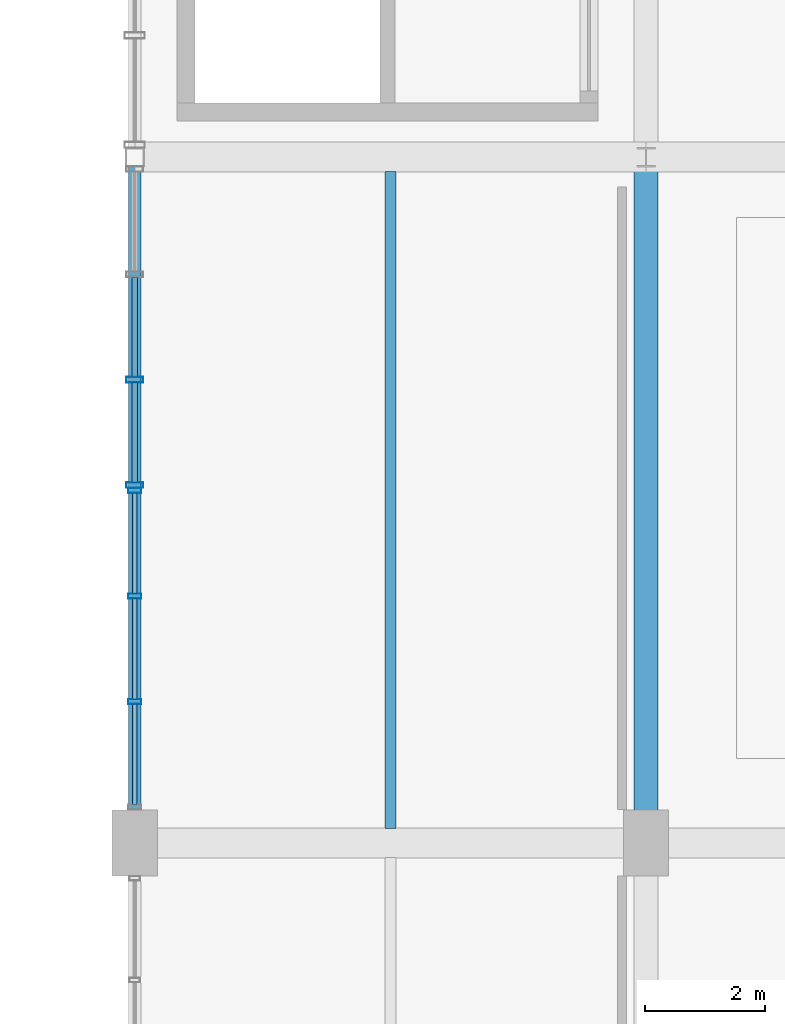
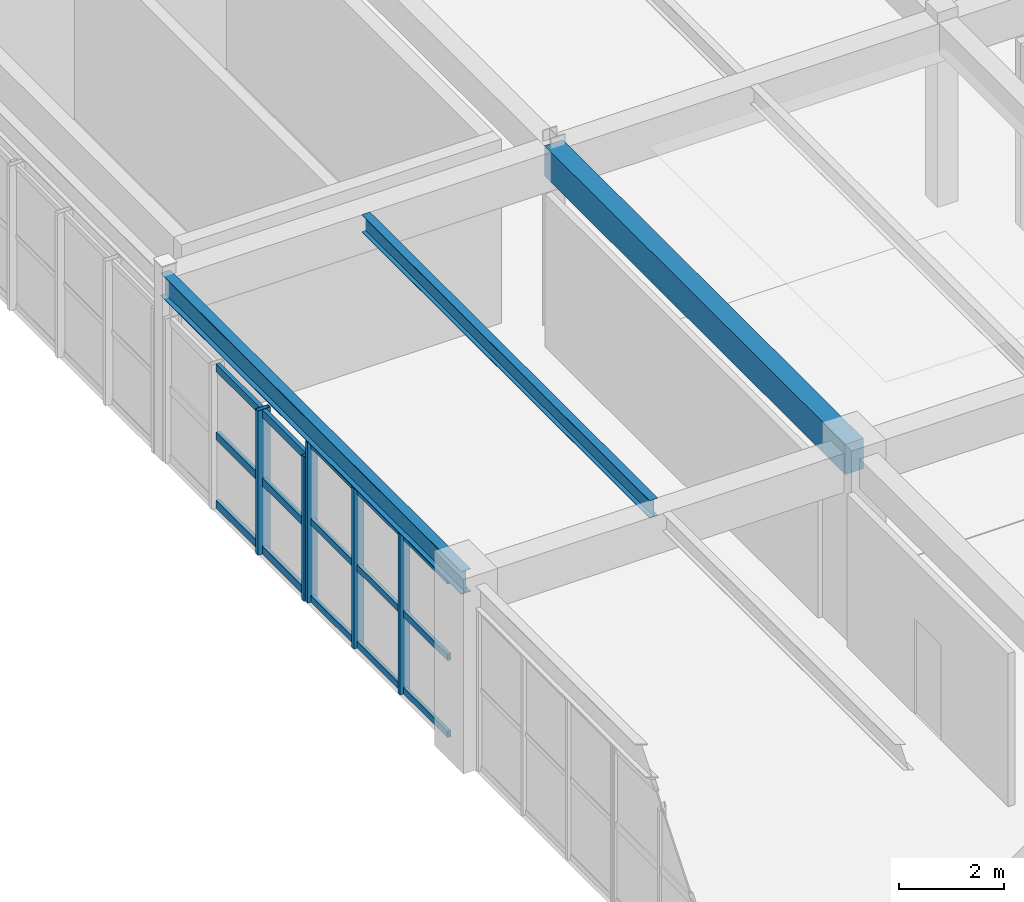
# One storey, part 21 of 80: 20 members, 3 beams, 2 elements without a shape of their own.
"""IFC4 building model written with IfcOpenShell, lengths in metres."""

from ifc_helpers import new_model, si_unit, direction, frame, origin, origin_2d, place, context, subcontext, project, spatial, rectangle, hollow_rectangle, i_section, extrude, material, layer, layer_set, material_profile, profile_set, type_object, element, aggregate, save


model = new_model("IFC4")

# Units and contexts
model_context = context("Model", 3, precision=1e-05, world=origin(), true_north=direction((0.0, 1.0)))
body_context = subcontext(model_context, "Body", "Model", "MODEL_VIEW")
ifc_project = project(units=[si_unit("LENGTHUNIT", "METRE"), si_unit("AREAUNIT", "SQUARE_METRE"), si_unit("VOLUMEUNIT", "CUBIC_METRE"), si_unit("PLANEANGLEUNIT", "RADIAN"), si_unit("MASSUNIT", "GRAM", prefix="KILO"), si_unit("POWERUNIT", "WATT"), si_unit("THERMODYNAMICTEMPERATUREUNIT", "KELVIN")], contexts=[model_context])

# Site, building, storey
site_placement = place(None, origin())
site = spatial("IfcSite", under=ifc_project, at=site_placement, CompositionType="ELEMENT")
building_placement = place(site_placement, origin())
building = spatial("IfcBuilding", under=site, at=building_placement, Name="Kelmbourne Parkland Aquatics Centre", CompositionType="ELEMENT")
storey_placement = place(building_placement, frame((0.0, 0.0, 10.199951171875)))
storey = spatial("IfcBuildingStorey", under=building, at=storey_placement, Name="L02", CompositionType="ELEMENT", Elevation=10.199951171875)

# Beams
ifc_material_1 = material(Name="Concrete C40/50", Category="concrete")
ifc_material_profile_1 = material_profile(ifc_material_1, rectangle(XDim=0.39990234375, YDim=0.699951171875, at=origin_2d()), Name="RC 400x700")
ifc_profile_set_1 = profile_set([ifc_material_profile_1], Name="Concrete C40/50")
beam_type_1 = type_object("IfcBeamType", Name="BM-G05", PredefinedType="BEAM", material=ifc_profile_set_1)
beam_1_placement = place(storey_placement, frame((110.5, 23.60009765625, 3.91015625), z_axis=(0.0, 1.0, 0.0), x_axis=(-1.0, 0.0, 0.0)))
element("IfcBeam", 1, at=beam_1_placement, inside=storey, type_object=beam_type_1, Name="Primary girder 04-05 Grid N (L03)", PredefinedType="BEAM", context=body_context, shape_type="SweptSolid", body=[
    extrude(rectangle(XDim=0.39990234375, YDim=0.699951171875, at=origin_2d()), origin(), (0.0, 0.0, 1.0), 11.39990234375),
])
ifc_material_2 = material(Name="Structural steel AS/NZS 3679.1 Grade 300", Category="steel")
ifc_material_profile_2 = material_profile(ifc_material_2, i_section(OverallWidth=0.177978515625, OverallDepth=0.406005859375, WebThickness=0.0078125, FlangeThickness=0.0126953125, at=origin_2d()), Name="410UB59.7")
ifc_profile_set_2 = profile_set([ifc_material_profile_2], Name="Structural steel AS/NZS 3679.1 Grade 300")
beam_type_2 = type_object("IfcBeamType", Name="BM-J01", PredefinedType="JOIST", material=ifc_profile_set_2)
beam_2_placement = place(storey_placement, frame((106.25, 23.842041015625, 4.05712890625), z_axis=(0.0, 1.0, 0.0), x_axis=(-1.0, 0.0, 0.0)))
element("IfcBeam", 2, at=beam_2_placement, inside=storey, type_object=beam_type_2, Name="Secondary floor joist M-N/04-05 #1 (L03)", PredefinedType="JOIST", context=body_context, shape_type="SweptSolid", body=[
    extrude(i_section(OverallWidth=0.177978515625, OverallDepth=0.406005859375, WebThickness=0.0078125, FlangeThickness=0.0126953125, at=origin_2d()), origin(), (0.0, 0.0, 1.0), 10.916015625),
])
ifc_material_profile_3 = material_profile(ifc_material_2, i_section(OverallWidth=0.208984375, OverallDepth=0.532958984375, WebThickness=0.01025390625, FlangeThickness=0.015625, at=origin_2d()), Name="530UB92.4")
ifc_profile_set_3 = profile_set([ifc_material_profile_3], Name="Structural steel AS/NZS 3679.1 Grade 300")
beam_type_3 = type_object("IfcBeamType", Name="BM-SP02", PredefinedType="SPANDREL", material=ifc_profile_set_3)
beam_3_placement = place(storey_placement, frame((102.0, 23.60009765625, 3.99365234375), z_axis=(0.0, 1.0, 0.0), x_axis=(-1.0, 0.0, 0.0)))
element("IfcBeam", 3, at=beam_3_placement, inside=storey, type_object=beam_type_3, Name="Perimeter spandrel 04-05 Grid M (L03)", PredefinedType="SPANDREL", context=body_context, shape_type="SweptSolid", body=[
    extrude(i_section(OverallWidth=0.208984375, OverallDepth=0.532958984375, WebThickness=0.01025390625, FlangeThickness=0.015625, at=origin_2d()), origin(), (0.0, 0.0, 1.0), 11.39990234375),
])

# Curtain wall, members
ifc_material_3 = material(Name="Thermally broken anodised aluminium framing", Category="aluminium")
ifc_layer_1 = layer(ifc_material_3, 0.179931640625)
ifc_layer_set_1 = layer_set([ifc_layer_1], Name="Thermally broken anodised aluminium framing")
curtain_wall_type_1 = type_object("IfcCurtainWallType", Name="CW-10", PredefinedType="NOTDEFINED", material=ifc_layer_set_1)
curtain_wall_1_placement = place(storey_placement, origin())
curtain_wall_1 = element("IfcCurtainWall", 4, at=curtain_wall_1_placement, inside=storey, type_object=curtain_wall_type_1, Name="Facade curtain wall CW-L02-202", PredefinedType="NOTDEFINED")
ifc_material_profile_4 = material_profile(ifc_material_3, hollow_rectangle(XDim=0.0849609375, YDim=0.219970703125, WallThickness=0.0048828125, at=origin_2d()), Name="CW-M 85x220")
ifc_profile_set_4 = profile_set([ifc_material_profile_4], Name="Thermally broken anodised aluminium framing")
member_type_1 = type_object("IfcMemberType", Name="MB-MUL-3", PredefinedType="MULLION", material=ifc_profile_set_4)
member_1_placement = place(storey_placement, frame((102.0, 25.94873046875, 0.0), z_axis=(0.0, 0.0, 1.0), x_axis=(0.0, 1.0, 0.0)))
member_1 = element("IfcMember", 5, at=member_1_placement, type_object=member_type_1, Name="CW-L02-202 mullion 1", PredefinedType="MULLION", context=body_context, shape_type="SweptSolid", body=[
    extrude(hollow_rectangle(XDim=0.0849609375, YDim=0.219970703125, WallThickness=0.0048828125, at=origin_2d()), origin(), (0.0, 0.0, 1.0), 3.712158203125),
])
member_2_placement = place(storey_placement, frame((102.0, 27.703125, 0.0), z_axis=(0.0, 0.0, 1.0), x_axis=(0.0, 1.0, 0.0)))
member_2 = element("IfcMember", 6, at=member_2_placement, type_object=member_type_1, Name="CW-L02-202 mullion 2", PredefinedType="MULLION", context=body_context, shape_type="SweptSolid", body=[
    extrude(hollow_rectangle(XDim=0.0849609375, YDim=0.219970703125, WallThickness=0.0048828125, at=origin_2d()), origin(), (0.0, 0.0, 1.0), 3.712158203125),
])
member_3_placement = place(storey_placement, frame((102.0, 29.45751953125, 0.0), z_axis=(0.0, 0.0, 1.0), x_axis=(0.0, 1.0, 0.0)))
member_3 = element("IfcMember", 7, at=member_3_placement, type_object=member_type_1, Name="CW-L02-202 mullion 3", PredefinedType="MULLION", context=body_context, shape_type="SweptSolid", body=[
    extrude(hollow_rectangle(XDim=0.0849609375, YDim=0.219970703125, WallThickness=0.0048828125, at=origin_2d()), origin(), (0.0, 0.0, 1.0), 3.712158203125),
])

ifc_layer_2 = layer(ifc_material_3, 0.179931640625)
ifc_layer_set_2 = layer_set([ifc_layer_2], Name="Thermally broken anodised aluminium framing")
curtain_wall_type_2 = type_object("IfcCurtainWallType", Name="CW-11", PredefinedType="NOTDEFINED", material=ifc_layer_set_2)
curtain_wall_2_placement = place(storey_placement, origin())
curtain_wall_2 = element("IfcCurtainWall", 8, at=curtain_wall_2_placement, inside=storey, type_object=curtain_wall_type_2, Name="Facade curtain wall CW-L02-203", PredefinedType="NOTDEFINED")
ifc_material_profile_5 = material_profile(ifc_material_3, hollow_rectangle(XDim=0.094970703125, YDim=0.280029296875, WallThickness=0.005615234375, at=origin_2d()), Name="CW-M 95x280")
ifc_profile_set_5 = profile_set([ifc_material_profile_5], Name="Thermally broken anodised aluminium framing")
member_type_2 = type_object("IfcMemberType", Name="MB-MUL-4", PredefinedType="MULLION", material=ifc_profile_set_5)
member_4_placement = place(storey_placement, frame((102.0, 29.547607421875, 0.0), z_axis=(0.0, 0.0, 1.0), x_axis=(0.0, 1.0, 0.0)))
member_4 = element("IfcMember", 9, at=member_4_placement, type_object=member_type_2, Name="CW-L02-203 mullion 0", PredefinedType="MULLION", context=body_context, shape_type="SweptSolid", body=[
    extrude(hollow_rectangle(XDim=0.094970703125, YDim=0.280029296875, WallThickness=0.005615234375, at=origin_2d()), origin(), (0.0, 0.0, 1.0), 3.344970703125),
])
member_5_placement = place(storey_placement, frame((102.0, 31.298583984375, 0.0), z_axis=(0.0, 0.0, 1.0), x_axis=(0.0, 1.0, 0.0)))
member_5 = element("IfcMember", 10, at=member_5_placement, type_object=member_type_2, Name="CW-L02-203 mullion 1", PredefinedType="MULLION", context=body_context, shape_type="SweptSolid", body=[
    extrude(hollow_rectangle(XDim=0.094970703125, YDim=0.280029296875, WallThickness=0.005615234375, at=origin_2d()), origin(), (0.0, 0.0, 1.0), 3.344970703125),
])

# Member
ifc_material_profile_6 = material_profile(ifc_material_3, hollow_rectangle(XDim=0.074951171875, YDim=0.14990234375, WallThickness=0.00390625, at=origin_2d()), Name="CW-T 75x150")
ifc_profile_set_6 = profile_set([ifc_material_profile_6], Name="Thermally broken anodised aluminium framing")
member_type_3 = type_object("IfcMemberType", Name="MB-TRN-2", PredefinedType="USERDEFINED", material=ifc_profile_set_6)
member_6_placement = place(storey_placement, frame((102.0, 24.23291015625, 0.078125), z_axis=(0.0, 1.0, 0.0), x_axis=(-1.0, 0.0, 0.0)))
member_6 = element("IfcMember", 11, at=member_6_placement, type_object=member_type_3, Name="CW-L02-202 transom 0-0", ObjectType="TRANSOM", PredefinedType="USERDEFINED", context=body_context, shape_type="SweptSolid", body=[
    extrude(hollow_rectangle(XDim=0.074951171875, YDim=0.14990234375, WallThickness=0.00390625, at=origin_2d()), origin(), (0.0, 0.0, 1.0), 1.677490234375),
])

member_7_placement = place(storey_placement, frame((102.0, 25.9873046875, 0.078125), z_axis=(0.0, 1.0, 0.0), x_axis=(-1.0, 0.0, 0.0)))
member_7 = element("IfcMember", 12, at=member_7_placement, type_object=member_type_3, Name="CW-L02-202 transom 0-1", ObjectType="TRANSOM", PredefinedType="USERDEFINED", context=body_context, shape_type="SweptSolid", body=[
    extrude(hollow_rectangle(XDim=0.074951171875, YDim=0.14990234375, WallThickness=0.00390625, at=origin_2d()), origin(), (0.0, 0.0, 1.0), 1.677490234375),
])

member_8_placement = place(storey_placement, frame((102.0, 27.74169921875, 0.078125), z_axis=(0.0, 1.0, 0.0), x_axis=(-1.0, 0.0, 0.0)))
member_8 = element("IfcMember", 13, at=member_8_placement, type_object=member_type_3, Name="CW-L02-202 transom 0-2", ObjectType="TRANSOM", PredefinedType="USERDEFINED", context=body_context, shape_type="SweptSolid", body=[
    extrude(hollow_rectangle(XDim=0.074951171875, YDim=0.14990234375, WallThickness=0.00390625, at=origin_2d()), origin(), (0.0, 0.0, 1.0), 1.67724609375),
])

member_9_placement = place(storey_placement, frame((102.0, 24.23291015625, 1.85595703125), z_axis=(0.0, 1.0, 0.0), x_axis=(-1.0, 0.0, 0.0)))
member_9 = element("IfcMember", 14, at=member_9_placement, type_object=member_type_3, Name="CW-L02-202 transom 1-0", ObjectType="TRANSOM", PredefinedType="USERDEFINED", context=body_context, shape_type="SweptSolid", body=[
    extrude(hollow_rectangle(XDim=0.074951171875, YDim=0.14990234375, WallThickness=0.00390625, at=origin_2d()), origin(), (0.0, 0.0, 1.0), 1.677490234375),
])

member_10_placement = place(storey_placement, frame((102.0, 25.9873046875, 1.85595703125), z_axis=(0.0, 1.0, 0.0), x_axis=(-1.0, 0.0, 0.0)))
member_10 = element("IfcMember", 15, at=member_10_placement, type_object=member_type_3, Name="CW-L02-202 transom 1-1", ObjectType="TRANSOM", PredefinedType="USERDEFINED", context=body_context, shape_type="SweptSolid", body=[
    extrude(hollow_rectangle(XDim=0.074951171875, YDim=0.14990234375, WallThickness=0.00390625, at=origin_2d()), origin(), (0.0, 0.0, 1.0), 1.677490234375),
])

member_11_placement = place(storey_placement, frame((102.0, 27.74169921875, 1.85595703125), z_axis=(0.0, 1.0, 0.0), x_axis=(-1.0, 0.0, 0.0)))
member_11 = element("IfcMember", 16, at=member_11_placement, type_object=member_type_3, Name="CW-L02-202 transom 1-2", ObjectType="TRANSOM", PredefinedType="USERDEFINED", context=body_context, shape_type="SweptSolid", body=[
    extrude(hollow_rectangle(XDim=0.074951171875, YDim=0.14990234375, WallThickness=0.00390625, at=origin_2d()), origin(), (0.0, 0.0, 1.0), 1.67724609375),
])

member_12_placement = place(storey_placement, frame((102.0, 24.23291015625, 3.634033203125), z_axis=(0.0, 1.0, 0.0), x_axis=(-1.0, 0.0, 0.0)))
member_12 = element("IfcMember", 17, at=member_12_placement, type_object=member_type_3, Name="CW-L02-202 transom 2-0", ObjectType="TRANSOM", PredefinedType="USERDEFINED", context=body_context, shape_type="SweptSolid", body=[
    extrude(hollow_rectangle(XDim=0.074951171875, YDim=0.14990234375, WallThickness=0.00390625, at=origin_2d()), origin(), (0.0, 0.0, 1.0), 1.677490234375),
])

member_13_placement = place(storey_placement, frame((102.0, 25.9873046875, 3.634033203125), z_axis=(0.0, 1.0, 0.0), x_axis=(-1.0, 0.0, 0.0)))
member_13 = element("IfcMember", 18, at=member_13_placement, type_object=member_type_3, Name="CW-L02-202 transom 2-1", ObjectType="TRANSOM", PredefinedType="USERDEFINED", context=body_context, shape_type="SweptSolid", body=[
    extrude(hollow_rectangle(XDim=0.074951171875, YDim=0.14990234375, WallThickness=0.00390625, at=origin_2d()), origin(), (0.0, 0.0, 1.0), 1.677490234375),
])

member_14_placement = place(storey_placement, frame((102.0, 27.74169921875, 3.634033203125), z_axis=(0.0, 1.0, 0.0), x_axis=(-1.0, 0.0, 0.0)))
member_14 = element("IfcMember", 19, at=member_14_placement, type_object=member_type_3, Name="CW-L02-202 transom 2-2", ObjectType="TRANSOM", PredefinedType="USERDEFINED", context=body_context, shape_type="SweptSolid", body=[
    extrude(hollow_rectangle(XDim=0.074951171875, YDim=0.14990234375, WallThickness=0.00390625, at=origin_2d()), origin(), (0.0, 0.0, 1.0), 1.67724609375),
])

aggregate(curtain_wall_1, [member_1, member_2, member_3, member_6, member_7, member_8, member_9, member_10, member_11, member_12, member_13, member_14])

ifc_material_profile_7 = material_profile(ifc_material_3, hollow_rectangle(XDim=0.0849609375, YDim=0.179931640625, WallThickness=0.00439453125, at=origin_2d()), Name="CW-T 85x180")
ifc_profile_set_7 = profile_set([ifc_material_profile_7], Name="Thermally broken anodised aluminium framing")
member_type_4 = type_object("IfcMemberType", Name="MB-TRN-3", PredefinedType="USERDEFINED", material=ifc_profile_set_7)
member_15_placement = place(storey_placement, frame((102.0, 29.591064453125, 0.093017578125), z_axis=(0.0, 1.0, 0.0), x_axis=(-1.0, 0.0, 0.0)))
member_15 = element("IfcMember", 20, at=member_15_placement, type_object=member_type_4, Name="CW-L02-203 transom 0-0", ObjectType="TRANSOM", PredefinedType="USERDEFINED", context=body_context, shape_type="SweptSolid", body=[
    extrude(hollow_rectangle(XDim=0.0849609375, YDim=0.179931640625, WallThickness=0.00439453125, at=origin_2d()), origin(), (0.0, 0.0, 1.0), 1.663818359375),
])

member_16_placement = place(storey_placement, frame((102.0, 31.342041015625, 0.093017578125), z_axis=(0.0, 1.0, 0.0), x_axis=(-1.0, 0.0, 0.0)))
member_16 = element("IfcMember", 21, at=member_16_placement, type_object=member_type_4, Name="CW-L02-203 transom 0-1", ObjectType="TRANSOM", PredefinedType="USERDEFINED", context=body_context, shape_type="SweptSolid", body=[
    extrude(hollow_rectangle(XDim=0.0849609375, YDim=0.179931640625, WallThickness=0.00439453125, at=origin_2d()), origin(), (0.0, 0.0, 1.0), 1.6640625),
])

member_17_placement = place(storey_placement, frame((102.0, 29.591064453125, 1.672607421875), z_axis=(0.0, 1.0, 0.0), x_axis=(-1.0, 0.0, 0.0)))
member_17 = element("IfcMember", 22, at=member_17_placement, type_object=member_type_4, Name="CW-L02-203 transom 1-0", ObjectType="TRANSOM", PredefinedType="USERDEFINED", context=body_context, shape_type="SweptSolid", body=[
    extrude(hollow_rectangle(XDim=0.0849609375, YDim=0.179931640625, WallThickness=0.00439453125, at=origin_2d()), origin(), (0.0, 0.0, 1.0), 1.663818359375),
])

member_18_placement = place(storey_placement, frame((102.0, 31.342041015625, 1.672607421875), z_axis=(0.0, 1.0, 0.0), x_axis=(-1.0, 0.0, 0.0)))
member_18 = element("IfcMember", 23, at=member_18_placement, type_object=member_type_4, Name="CW-L02-203 transom 1-1", ObjectType="TRANSOM", PredefinedType="USERDEFINED", context=body_context, shape_type="SweptSolid", body=[
    extrude(hollow_rectangle(XDim=0.0849609375, YDim=0.179931640625, WallThickness=0.00439453125, at=origin_2d()), origin(), (0.0, 0.0, 1.0), 1.6640625),
])

member_19_placement = place(storey_placement, frame((102.0, 29.591064453125, 3.251953125), z_axis=(0.0, 1.0, 0.0), x_axis=(-1.0, 0.0, 0.0)))
member_19 = element("IfcMember", 24, at=member_19_placement, type_object=member_type_4, Name="CW-L02-203 transom 2-0", ObjectType="TRANSOM", PredefinedType="USERDEFINED", context=body_context, shape_type="SweptSolid", body=[
    extrude(hollow_rectangle(XDim=0.0849609375, YDim=0.179931640625, WallThickness=0.00439453125, at=origin_2d()), origin(), (0.0, 0.0, 1.0), 1.663818359375),
])

member_20_placement = place(storey_placement, frame((102.0, 31.342041015625, 3.251953125), z_axis=(0.0, 1.0, 0.0), x_axis=(-1.0, 0.0, 0.0)))
member_20 = element("IfcMember", 25, at=member_20_placement, type_object=member_type_4, Name="CW-L02-203 transom 2-1", ObjectType="TRANSOM", PredefinedType="USERDEFINED", context=body_context, shape_type="SweptSolid", body=[
    extrude(hollow_rectangle(XDim=0.0849609375, YDim=0.179931640625, WallThickness=0.00439453125, at=origin_2d()), origin(), (0.0, 0.0, 1.0), 1.6640625),
])

aggregate(curtain_wall_2, [member_4, member_5, member_15, member_16, member_17, member_18, member_19, member_20])

save(model, "model.ifc")
